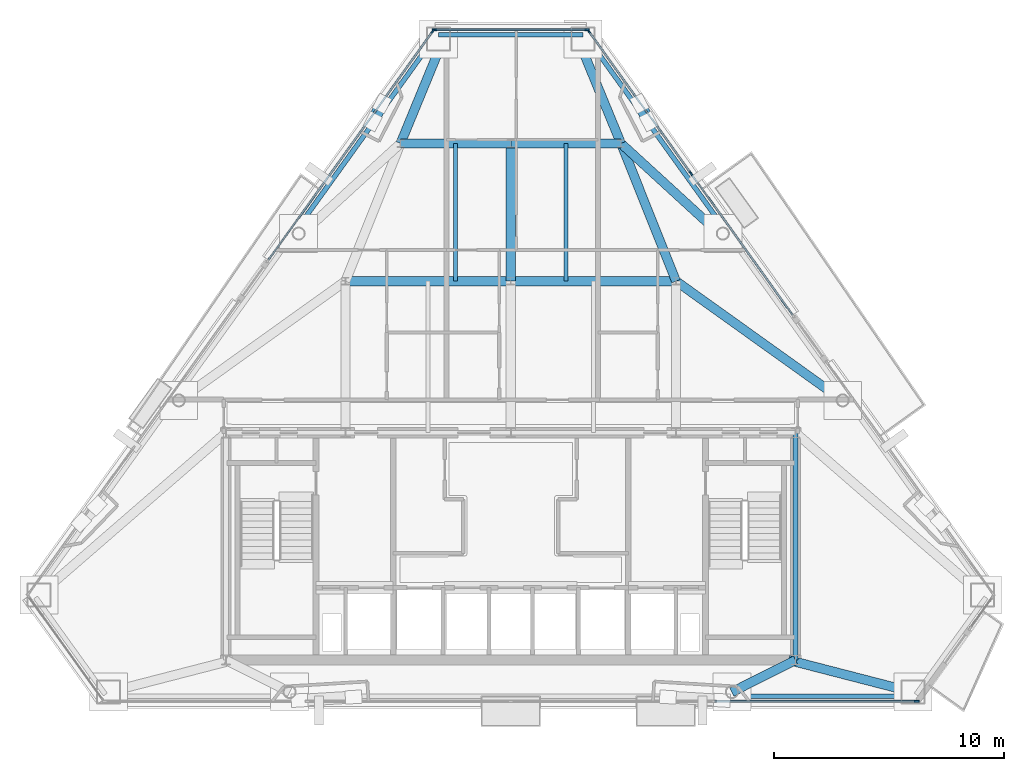
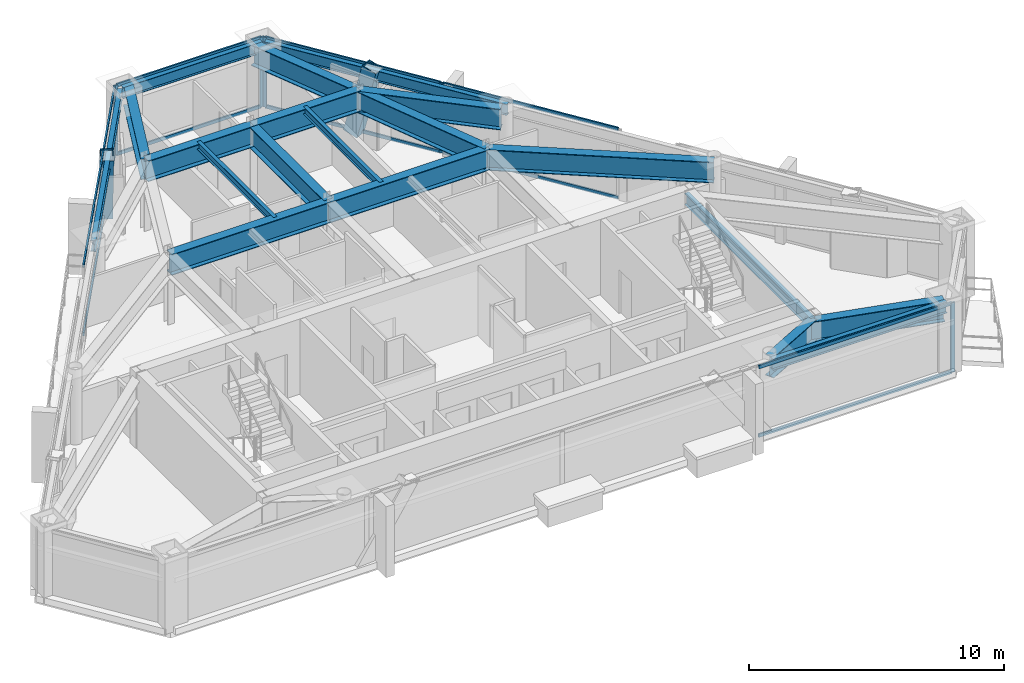
# One storey, part 4 of 11: 19 beams, 18 members, 4 elements without a shape of their own.
"""IFC4 building model written with IfcOpenShell, lengths in metres."""

import ifcopenshell
import ifcopenshell.guid

model = None  # the IFC model being written
_history = None  # IfcOwnerHistory: only IFC2X3 demands one
_inside = {}  # id of a spatial element -> (the spatial element, [elements in it])
_under = {}  # id of a project, library or spatial element -> (it, [spatial elements below it])
_declared = {}  # id of a project -> (the project, [libraries it declares])
_typed = {}  # id of a type object -> (the type object, [elements of that type])
_made_of = {}  # id of a material, layer set ... -> (it, [elements and type objects made of it])


def new_model(schema):
    """Start an empty IFC model of exactly this schema.

    Asked for "IFC4X3", IfcOpenShell would pick the latest addendum, in which some entities
    have other attributes; the version numbers below select the first issue.
    IFC2X3 requires an IfcOwnerHistory on every rooted entity: one is made here for all.
    """
    global model, _history
    if schema == "IFC4X3":
        model = ifcopenshell.file(schema_version=(4, 3, 0, 0))
    else:
        model = ifcopenshell.file(schema=schema)
    _inside.clear()
    _under.clear()
    _declared.clear()
    _typed.clear()
    _made_of.clear()
    _history = None
    if model.schema == "IFC2X3":
        org = make("IfcOrganization", Name="unknown")
        user = make(
            "IfcPersonAndOrganization",
            ThePerson=make("IfcPerson", FamilyName="unknown"),
            TheOrganization=org,
        )
        app = make(
            "IfcApplication",
            ApplicationDeveloper=org,
            Version="unknown",
            ApplicationFullName="unknown",
            ApplicationIdentifier="unknown",
        )
        _history = make(
            "IfcOwnerHistory",
            OwningUser=user,
            OwningApplication=app,
            ChangeAction="ADDED",
            CreationDate=0,
        )
    return model


def make(cls, **values):
    """One entity of the class cls with the attributes given. An attribute that is None is left unset."""
    return model.create_entity(
        cls, **{name: value for name, value in values.items() if value is not None}
    )


def rooted(cls, **values):
    """An entity with a GlobalId (a new one), such as an element, a storey or a relation."""
    return make(cls, GlobalId=ifcopenshell.guid.new(), OwnerHistory=_history, **values)


def si_unit(unit_type, name, prefix=None):
    """IfcSIUnit, for example si_unit("LENGTHUNIT", "METRE", prefix="MILLI")."""
    return make("IfcSIUnit", UnitType=unit_type, Prefix=prefix, Name=name)


def assignment(units):
    """IfcUnitAssignment: the units of a project."""
    return None if units is None else make("IfcUnitAssignment", Units=units)


def point(xyz):
    """IfcCartesianPoint."""
    return None if xyz is None else make("IfcCartesianPoint", Coordinates=xyz)


def direction(xyz):
    """IfcDirection."""
    return None if xyz is None else make("IfcDirection", DirectionRatios=xyz)


def frame(location, z_axis=None, x_axis=None):
    """IfcAxis2Placement3D, a coordinate frame: its origin and axes. An axis left out is left unset."""
    return make(
        "IfcAxis2Placement3D",
        Location=point(location),
        Axis=direction(z_axis),
        RefDirection=direction(x_axis),
    )


def frame_2d(location, x_axis=None):
    """IfcAxis2Placement2D, a coordinate frame in the plane: its origin and x axis."""
    return make(
        "IfcAxis2Placement2D", Location=point(location), RefDirection=direction(x_axis)
    )


def origin():
    """The frame at (0, 0, 0) with its axes left unset."""
    return frame((0.0, 0.0, 0.0))


def origin_2d():
    """The frame at (0, 0) in the plane with its x axis left unset."""
    return frame_2d((0.0, 0.0))


def place(relative_to, where):
    """IfcLocalPlacement: puts the frame where relative to a parent placement (None: the world)."""
    return make(
        "IfcLocalPlacement", PlacementRelTo=relative_to, RelativePlacement=where
    )


def context(
    kind, dimensions, precision=None, world=None, true_north=None, identifier=None
):
    """IfcGeometricRepresentationContext, for example the 3D "Model" context."""
    return make(
        "IfcGeometricRepresentationContext",
        ContextIdentifier=identifier,
        ContextType=kind,
        CoordinateSpaceDimension=dimensions,
        Precision=precision,
        WorldCoordinateSystem=world,
        TrueNorth=true_north,
    )


def subcontext(parent, identifier, kind, view, scale=None):
    """IfcGeometricRepresentationSubContext, for example "Body" below "Model"."""
    return make(
        "IfcGeometricRepresentationSubContext",
        ContextIdentifier=identifier,
        ContextType=kind,
        ParentContext=parent,
        TargetScale=scale,
        TargetView=view,
    )


def project(units=None, contexts=None):
    """IfcProject with its units and contexts."""
    return rooted(
        "IfcProject",
        Name="project",
        RepresentationContexts=contexts,
        UnitsInContext=assignment(units),
    )


def spatial(cls, under=None, at=None, **own):
    """A site, building, storey or space (cls), placed at a placement, below another one or the project."""
    s = rooted(cls, ObjectPlacement=at, **own)
    if under is not None:
        _under.setdefault(under.id(), (under, []))[1].append(s)
    return s


def profile(cls, at=None, kind="AREA", **sizes):
    """A parametric profile (cls). Its sizes go by their IFC names, for example OverallWidth=200.0."""
    return make(cls, ProfileType=kind, Position=at, **sizes)


def rectangle(**sizes):
    """IfcRectangleProfileDef."""
    return profile("IfcRectangleProfileDef", **sizes)


def hollow_rectangle(**sizes):
    """IfcRectangleHollowProfileDef."""
    return profile("IfcRectangleHollowProfileDef", **sizes)


def i_section(**sizes):
    """IfcIShapeProfileDef."""
    return profile("IfcIShapeProfileDef", **sizes)


def extrude(swept, where, along, depth):
    """IfcExtrudedAreaSolid: the profile swept, set in the frame where, extruded along a direction by depth."""
    return make(
        "IfcExtrudedAreaSolid",
        SweptArea=swept,
        Position=where,
        ExtrudedDirection=direction(along),
        Depth=depth,
    )


def shape(context_of_items, identifier, shape_type, items):
    """IfcShapeRepresentation: the items that make up one representation, for example the "Body"."""
    return make(
        "IfcShapeRepresentation",
        ContextOfItems=context_of_items,
        RepresentationIdentifier=identifier,
        RepresentationType=shape_type,
        Items=items,
    )


def material(Name=None, Category=None):
    """IfcMaterial."""
    return make("IfcMaterial", Name=Name, Category=Category)


def layer(
    of_material, thickness, ventilated=None, Name=None, Category=None, Priority=None
):
    """IfcMaterialLayer: one layer of a wall or slab, of a material (None: an air gap)."""
    return make(
        "IfcMaterialLayer",
        Material=of_material,
        LayerThickness=thickness,
        IsVentilated=ventilated,
        Name=Name,
        Category=Category,
        Priority=Priority,
    )


def layer_set(layers, Name=None):
    """IfcMaterialLayerSet."""
    return make("IfcMaterialLayerSet", MaterialLayers=layers, LayerSetName=Name)


def material_profile(
    of_material, cross_section, Name=None, Category=None, Priority=None
):
    """IfcMaterialProfile: a cross section and its material."""
    return make(
        "IfcMaterialProfile",
        Name=Name,
        Material=of_material,
        Profile=cross_section,
        Priority=Priority,
        Category=Category,
    )


def profile_set(profiles, Name=None, composite=None):
    """IfcMaterialProfileSet."""
    return make(
        "IfcMaterialProfileSet",
        Name=Name,
        MaterialProfiles=profiles,
        CompositeProfile=composite,
    )


def made_of(thing, what):
    """Note that an element or type object is made of a material, layer set ...; save() writes the relation."""
    if what is not None:
        _made_of.setdefault(what.id(), (what, []))[1].append(thing)
    return thing


def type_object(cls, material=None, **own):
    """A type object (cls), such as IfcWallType, which elements share."""
    return made_of(rooted(cls, **own), material)


def element(
    cls,
    number,
    at=None,
    inside=None,
    cuts=None,
    type_object=None,
    material=None,
    context=None,
    identifier="Body",
    shape_type=None,
    held_by="IfcProductDefinitionShape",
    body=None,
    shapes=None,
    **own,
):
    """One element of the class cls, such as IfcWall. Its Tag is "e" and its number.

    at: its placement. inside: the storey or other place that contains it. cuts: it is an
    opening in that element (IfcRelVoidsElement). A single representation is given by context,
    identifier, shape_type and body (its items); several are given by shapes. held_by: the class
    of the entity that holds the representations. save() writes the other relations.
    """
    e = rooted(cls, Tag="e%d" % number, ObjectPlacement=at, **own)
    if body is not None:
        shapes = [shape(context, identifier, shape_type, body)]
    if shapes is not None:
        e.Representation = make(held_by, Representations=shapes)
    if inside is not None:
        _inside.setdefault(inside.id(), (inside, []))[1].append(e)
    if cuts is not None:
        rooted(
            "IfcRelVoidsElement", RelatingBuildingElement=cuts, RelatedOpeningElement=e
        )
    if type_object is not None:
        _typed.setdefault(type_object.id(), (type_object, []))[1].append(e)
    return made_of(e, material)


def aggregate(whole, parts):
    """IfcRelAggregates: a whole, such as a stair, and the parts it consists of."""
    return rooted("IfcRelAggregates", RelatingObject=whole, RelatedObjects=parts)


def save(model, path):
    """Write the relations noted so far, then the file.

    IfcRelAggregates (storeys below a building ...), IfcRelContainedInSpatialStructure (elements
    in a storey), IfcRelDefinesByType, IfcRelAssociatesMaterial and IfcRelDeclares: one each for
    every whole, place, type object, material and project.
    """
    for whole, parts in _under.values():
        aggregate(whole, parts)
    for where, things in _inside.values():
        rooted(
            "IfcRelContainedInSpatialStructure",
            RelatedElements=things,
            RelatingStructure=where,
        )
    for kind, things in _typed.values():
        rooted("IfcRelDefinesByType", RelatedObjects=things, RelatingType=kind)
    for what, things in _made_of.values():
        rooted("IfcRelAssociatesMaterial", RelatedObjects=things, RelatingMaterial=what)
    for by, libraries in _declared.values():
        rooted("IfcRelDeclares", RelatingContext=by, RelatedDefinitions=libraries)
    model.write(path)


model = new_model("IFC4")

# Units and contexts
model_context = context("Model", 3, precision=1e-05, world=origin(), true_north=direction((0.0, 1.0)))
body_context = subcontext(model_context, "Body", "Model", "MODEL_VIEW")
ifc_project = project(units=[si_unit("LENGTHUNIT", "METRE"), si_unit("AREAUNIT", "SQUARE_METRE"), si_unit("VOLUMEUNIT", "CUBIC_METRE"), si_unit("PLANEANGLEUNIT", "RADIAN"), si_unit("MASSUNIT", "GRAM", prefix="KILO")], contexts=[model_context])

# Site, building, storey
site_placement = place(None, origin())
site = spatial("IfcSite", under=ifc_project, at=site_placement, CompositionType="ELEMENT")
building_placement = place(site_placement, origin())
building = spatial("IfcBuilding", under=site, at=building_placement, Name="Talgorran Terracotta Tower", CompositionType="ELEMENT")
storey_placement = place(building_placement, frame((0.0, 0.0, 214.5)))
storey = spatial("IfcBuildingStorey", under=building, at=storey_placement, Name="L56", CompositionType="ELEMENT", Elevation=214.5)

# Beams
ifc_material_1 = material(Name="Steel Grade 350 (350L0)", Category="steel")
ifc_material_profile_1 = material_profile(ifc_material_1, i_section(OverallWidth=0.39990234375, OverallDepth=1.0, WebThickness=0.01611328125, FlangeThickness=0.031005859375, at=origin_2d()), Name="1000WB296")
ifc_profile_set_1 = profile_set([ifc_material_profile_1], Name="Steel Grade 350 (350L0)")
beam_type_1 = type_object("IfcBeamType", Name="BM_1000WB296", PredefinedType="BEAM", material=ifc_profile_set_1)
beam_1_placement = place(storey_placement, frame((12.39990234375, -14.10009765625, 2.844970703125), z_axis=(-0.892878892076, -0.450296884383, 0.0), x_axis=(0.450296884383, -0.892878892076, 0.0)))
element("IfcBeam", 1, at=beam_1_placement, inside=storey, type_object=beam_type_1, Name="L56 South-East Core Tie Beam", PredefinedType="BEAM", context=body_context, shape_type="SweptSolid", body=[
    extrude(i_section(OverallWidth=0.39990234375, OverallDepth=1.0, WebThickness=0.01611328125, FlangeThickness=0.031005859375, at=origin_2d()), origin(), (0.0, 0.0, 1.0), 3.101318359375),
])
beam_2_placement = place(storey_placement, frame((17.5107421875, -15.49658203125, 2.844970703125), z_axis=(-0.968269139211, 0.249909731806, 0.0), x_axis=(-0.249909731806, -0.968269139211, 0.0)))
element("IfcBeam", 2, at=beam_2_placement, inside=storey, type_object=beam_type_1, Name="L56 Perimeter Step Girder 5", PredefinedType="BEAM", context=body_context, shape_type="SweptSolid", body=[
    extrude(i_section(OverallWidth=0.39990234375, OverallDepth=1.0, WebThickness=0.01611328125, FlangeThickness=0.031005859375, at=origin_2d()), origin(), (0.0, 0.0, 1.0), 5.587890625),
])
for number, where, z_axis, x_axis, name in (
    (3, (2.843017578125, 13.153076171875, 2.844970703125), (0.380723528032, -0.924688918071, 0.0), (0.924688918071, 0.380723528032, 0.0), "L56 Perimeter Step Girder 9B"),
    (4, (-2.843017578125, 13.153076171875, 2.844970703125), (-0.380723528032, -0.924688918071, 0.0), (0.924688918071, -0.380723528032, 0.0), "L56 Perimeter Step Girder 10B"),
):
    element("IfcBeam", number, at=place(storey_placement, frame(where, z_axis=z_axis, x_axis=x_axis)), inside=storey, type_object=beam_type_1, Name=name, PredefinedType="BEAM", context=body_context, shape_type="SweptSolid", body=[
        extrude(i_section(OverallWidth=0.39990234375, OverallDepth=1.0, WebThickness=0.01611328125, FlangeThickness=0.031005859375, at=origin_2d()), origin(), (0.0, 0.0, 1.0), 5.140380859375),
    ])
for number, where, z_axis, x_axis, name in (
    (5, (-7.199951171875, 2.39990234375, 2.844970703125), (1.0, 0.0, 0.0), (0.0, 1.0, 0.0), "L56 Floor Girder G04"),
    (6, (0.0, 2.39990234375, 2.844970703125), (1.0, 0.0, 0.0), (0.0, 1.0, 0.0), "L56 Floor Girder G05"),
):
    element("IfcBeam", number, at=place(storey_placement, frame(where, z_axis=z_axis, x_axis=x_axis)), inside=storey, type_object=beam_type_1, Name=name, PredefinedType="BEAM", context=body_context, shape_type="SweptSolid", body=[
        extrude(i_section(OverallWidth=0.39990234375, OverallDepth=1.0, WebThickness=0.01611328125, FlangeThickness=0.031005859375, at=origin_2d()), origin(), (0.0, 0.0, 1.0), 7.199951171875),
    ])
beam_3_placement = place(storey_placement, frame((7.199951171875, 2.39990234375, 2.844970703125), z_axis=(0.813243309998, -0.581923808366, 0.0), x_axis=(0.581923808366, 0.813243309998, 0.0)))
element("IfcBeam", 7, at=beam_3_placement, inside=storey, type_object=beam_type_1, Name="L56 Floor Girder G07", PredefinedType="BEAM", context=body_context, shape_type="SweptSolid", body=[
    extrude(i_section(OverallWidth=0.39990234375, OverallDepth=1.0, WebThickness=0.01611328125, FlangeThickness=0.031005859375, at=origin_2d()), origin(), (0.0, 0.0, 1.0), 8.923583984375),
])
beam_4_placement = place(storey_placement, frame((0.0, 2.39990234375, 2.844970703125), z_axis=(0.0, 1.0, 0.0), x_axis=(-1.0, 0.0, 0.0)))
element("IfcBeam", 8, at=beam_4_placement, inside=storey, type_object=beam_type_1, Name="L56 Floor Girder G09", PredefinedType="BEAM", context=body_context, shape_type="SweptSolid", body=[
    extrude(i_section(OverallWidth=0.39990234375, OverallDepth=1.0, WebThickness=0.01611328125, FlangeThickness=0.031005859375, at=origin_2d()), origin(), (0.0, 0.0, 1.0), 6.0),
])
beam_5_placement = place(storey_placement, frame((7.199951171875, 2.39990234375, 2.844970703125), z_axis=(-0.371377648723, 0.928481901832, 0.0), x_axis=(-0.928481901832, -0.371377648723, 0.0)))
element("IfcBeam", 9, at=beam_5_placement, inside=storey, type_object=beam_type_1, Name="L56 Floor Girder G10", PredefinedType="BEAM", context=body_context, shape_type="SweptSolid", body=[
    extrude(i_section(OverallWidth=0.39990234375, OverallDepth=1.0, WebThickness=0.01611328125, FlangeThickness=0.031005859375, at=origin_2d()), origin(), (0.0, 0.0, 1.0), 6.462158203125),
])
for number, where, z_axis, x_axis, name in (
    (10, (-4.800048828125, 8.39990234375, 2.844970703125), (1.0, 0.0, 0.0), (0.0, 1.0, 0.0), "L56 Floor Girder G11"),
    (11, (0.0, 8.39990234375, 2.844970703125), (1.0, 0.0, 0.0), (0.0, 1.0, 0.0), "L56 Floor Girder G12"),
):
    element("IfcBeam", number, at=place(storey_placement, frame(where, z_axis=z_axis, x_axis=x_axis)), inside=storey, type_object=beam_type_1, Name=name, PredefinedType="BEAM", context=body_context, shape_type="SweptSolid", body=[
        extrude(i_section(OverallWidth=0.39990234375, OverallDepth=1.0, WebThickness=0.01611328125, FlangeThickness=0.031005859375, at=origin_2d()), origin(), (0.0, 0.0, 1.0), 4.800048828125),
    ])
beam_6_placement = place(storey_placement, frame((4.800048828125, 8.39990234375, 2.844970703125), z_axis=(0.737419827565, -0.675434673313, 0.0), x_axis=(0.675434673313, 0.737419827565, 0.0)))
element("IfcBeam", 12, at=beam_6_placement, inside=storey, type_object=beam_type_1, Name="L56 Floor Girder G14", PredefinedType="BEAM", context=body_context, shape_type="SweptSolid", body=[
    extrude(i_section(OverallWidth=0.39990234375, OverallDepth=1.0, WebThickness=0.01611328125, FlangeThickness=0.031005859375, at=origin_2d()), origin(), (0.0, 0.0, 1.0), 5.75830078125),
])
ifc_material_2 = material(Name="Steel S355 (300PLUS)", Category="steel")
ifc_material_profile_2 = material_profile(ifc_material_2, i_section(OverallWidth=0.17138671875, OverallDepth=0.355712890625, WebThickness=0.00732421875, FlangeThickness=0.011474609375, at=origin_2d()), Name="360UB50.7")
ifc_profile_set_2 = profile_set([ifc_material_profile_2], Name="Steel S355 (300PLUS)")
beam_type_2 = type_object("IfcBeamType", Name="BM_JS_360UB51", PredefinedType="JOIST", material=ifc_profile_set_2)
for number, where, z_axis, x_axis, name in (
    (13, (-2.39990234375, 2.39990234375, 3.167236328125), (0.0, 1.0, 0.0), (-1.0, 0.0, 0.0), "L56 Secondary Joist J03"),
    (14, (2.39990234375, 2.39990234375, 3.167236328125), (0.0, 1.0, 0.0), (-1.0, 0.0, 0.0), "L56 Secondary Joist J04"),
):
    element("IfcBeam", number, at=place(storey_placement, frame(where, z_axis=z_axis, x_axis=x_axis)), inside=storey, type_object=beam_type_2, Name=name, PredefinedType="JOIST", context=body_context, shape_type="SweptSolid", body=[
        extrude(i_section(OverallWidth=0.17138671875, OverallDepth=0.355712890625, WebThickness=0.00732421875, FlangeThickness=0.011474609375, at=origin_2d()), origin(), (0.0, 0.0, 1.0), 6.0),
    ])
ifc_material_profile_3 = material_profile(ifc_material_2, i_section(OverallWidth=0.209228515625, OverallDepth=0.532958984375, WebThickness=0.01025390625, FlangeThickness=0.015625, at=origin_2d()), Name="530UB92.4")
ifc_profile_set_3 = profile_set([ifc_material_profile_3], Name="Steel S355 (300PLUS)")
beam_type_3 = type_object("IfcBeamType", Name="BM_SP_530UB92", PredefinedType="SPANDREL", material=ifc_profile_set_3)
beam_7_placement = place(storey_placement, frame((9.630859375, -15.6767578125, 3.07861328125), z_axis=(1.0, 0.0, 0.0), x_axis=(0.0, 1.0, 0.0)))
element("IfcBeam", 15, at=beam_7_placement, inside=storey, type_object=beam_type_3, Name="L56 Perimeter Spandrel Beam FC2-MC3", PredefinedType="SPANDREL", context=body_context, shape_type="SweptSolid", body=[
    extrude(i_section(OverallWidth=0.209228515625, OverallDepth=0.532958984375, WebThickness=0.01025390625, FlangeThickness=0.015625, at=origin_2d()), origin(), (0.0, 0.0, 1.0), 7.8798828125),
])
beam_8_placement = place(storey_placement, frame((9.382080078125, 4.577880859375, 3.07861328125), z_axis=(-0.583547851422, 0.812078755479, 0.0), x_axis=(-0.812078755479, -0.583547851422, 0.0)))
element("IfcBeam", 16, at=beam_8_placement, inside=storey, type_object=beam_type_3, Name="L56 Perimeter Spandrel Beam FC4-MC5", PredefinedType="SPANDREL", context=body_context, shape_type="SweptSolid", body=[
    extrude(i_section(OverallWidth=0.209228515625, OverallDepth=0.532958984375, WebThickness=0.01025390625, FlangeThickness=0.015625, at=origin_2d()), origin(), (0.0, 0.0, 1.0), 10.4384765625),
])
beam_9_placement = place(storey_placement, frame((3.14453125, 13.129638671875, 3.07861328125), z_axis=(-1.0, 0.0, 0.0), x_axis=(0.0, -1.0, 0.0)))
element("IfcBeam", 17, at=beam_9_placement, inside=storey, type_object=beam_type_3, Name="L56 Perimeter Spandrel Beam MC5-MC6", PredefinedType="SPANDREL", context=body_context, shape_type="SweptSolid", body=[
    extrude(i_section(OverallWidth=0.209228515625, OverallDepth=0.532958984375, WebThickness=0.01025390625, FlangeThickness=0.015625, at=origin_2d()), origin(), (0.0, 0.0, 1.0), 6.2890625),
])
beam_10_placement = place(storey_placement, frame((-3.290771484375, 13.0546875, 3.07861328125), z_axis=(-0.583547851422, -0.812078755479, 0.0), x_axis=(0.812078755479, -0.583547851422, 0.0)))
element("IfcBeam", 18, at=beam_10_placement, inside=storey, type_object=beam_type_3, Name="L56 Perimeter Spandrel Beam MC6-FC5", PredefinedType="SPANDREL", context=body_context, shape_type="SweptSolid", body=[
    extrude(i_section(OverallWidth=0.209228515625, OverallDepth=0.532958984375, WebThickness=0.01025390625, FlangeThickness=0.015625, at=origin_2d()), origin(), (0.0, 0.0, 1.0), 10.4384765625),
])
beam_11_placement = place(storey_placement, frame((12.39990234375, -14.10009765625, 3.07861328125), z_axis=(0.0, 1.0, 0.0), x_axis=(-1.0, 0.0, 0.0)))
element("IfcBeam", 19, at=beam_11_placement, inside=storey, type_object=beam_type_3, Name="L56 Core Frame Beam CFE", PredefinedType="SPANDREL", context=body_context, shape_type="SweptSolid", body=[
    extrude(i_section(OverallWidth=0.209228515625, OverallDepth=0.532958984375, WebThickness=0.01025390625, FlangeThickness=0.015625, at=origin_2d()), origin(), (0.0, 0.0, 1.0), 9.900146484375),
])

# Members
ifc_material_profile_4 = material_profile(ifc_material_1, hollow_rectangle(XDim=0.52001953125, YDim=0.659912109375, WallThickness=0.034912109375, at=origin_2d()), Name="WBOX660X520X35")
ifc_profile_set_4 = profile_set([ifc_material_profile_4], Name="Steel Grade 350 (350L0)")
member_type_1 = type_object("IfcMemberType", Name="MB_MEGA_660", PredefinedType="BRACE", material=ifc_profile_set_4)
for number, where, z_axis, x_axis, name in (
    (20, (5.607666015625, 10.138916015625, -0.02490234375), (0.115459472178, -0.223680978649, 0.9677995299), (0.888602481916, 0.458678132389, 0.0), "L56 Exterior Face Mega-Brace MB-3 (NEU)"),
    (21, (-5.607666015625, 10.138916015625, -0.02490234375), (-0.115459472178, -0.223680978649, 0.9677995299), (0.888602481916, -0.458678132389, 0.0), "L56 Exterior Face Mega-Brace MB-3 (NWU)"),
):
    element("IfcMember", number, at=place(storey_placement, frame(where, z_axis=z_axis, x_axis=x_axis)), inside=storey, type_object=member_type_1, Name=name, PredefinedType="BRACE", context=body_context, shape_type="SweptSolid", body=[
        extrude(hollow_rectangle(XDim=0.52001953125, YDim=0.659912109375, WallThickness=0.034912109375, at=origin_2d()), origin(), (0.0, 0.0, 1.0), 3.508056640625),
    ])

# Curtain wall, member
ifc_material_3 = material(Name="High-Wind Unitised Glazing", Category="glass")
ifc_layer = layer(ifc_material_3, 0.2099609375, Name="CW_SYS3_RES_HIGH")
ifc_layer_set = layer_set([ifc_layer], Name="High-Wind Unitised Glazing")
curtain_wall_type = type_object("IfcCurtainWallType", Name="CW_SYS3_RES_HIGH", PredefinedType="NOTDEFINED", material=ifc_layer_set)
curtain_wall_1_placement = place(storey_placement, origin())
curtain_wall_1 = element("IfcCurtainWall", 22, at=curtain_wall_1_placement, inside=storey, type_object=curtain_wall_type, Name="CW-L56-F1", PredefinedType="NOTDEFINED")
ifc_material_4 = material(Name="Architectural Aluminium 6063-T6", Category="aluminium")
ifc_material_profile_5 = material_profile(ifc_material_4, rectangle(XDim=0.070068359375, YDim=0.199951171875, at=origin_2d()), Name="CWM70X200")
ifc_profile_set_5 = profile_set([ifc_material_profile_5], Name="Architectural Aluminium 6063-T6")
member_type_2 = type_object("IfcMemberType", Name="MUL_70X200", PredefinedType="MULLION", material=ifc_profile_set_5)
member_1_placement = place(storey_placement, frame((17.680908203125, -15.896728515625, 0.0), z_axis=(0.0, 0.0, 1.0), x_axis=(0.0, 1.0, 0.0)))
member_1 = element("IfcMember", 23, at=member_1_placement, type_object=member_type_2, Name="CW-L56-1 mullion 5", PredefinedType="MULLION", context=body_context, shape_type="SweptSolid", body=[
    extrude(rectangle(XDim=0.070068359375, YDim=0.199951171875, at=origin_2d()), origin(), (0.0, 0.0, 1.0), 3.344970703125),
])

# Curtain wall, members
curtain_wall_2_placement = place(storey_placement, origin())
curtain_wall_2 = element("IfcCurtainWall", 24, at=curtain_wall_2_placement, inside=storey, type_object=curtain_wall_type, Name="CW-L56-F41", PredefinedType="NOTDEFINED")
member_2_placement = place(storey_placement, frame((7.845458984375, 7.093505859375, 0.0), z_axis=(0.0, 0.0, 1.0), x_axis=(-0.812077108608, -0.583550143239, 0.0)))
member_2 = element("IfcMember", 25, at=member_2_placement, type_object=member_type_2, Name="CW-L56-41 mullion 2", PredefinedType="MULLION", context=body_context, shape_type="SweptSolid", body=[
    extrude(rectangle(XDim=0.070068359375, YDim=0.199951171875, at=origin_2d()), origin(), (0.0, 0.0, 1.0), 3.344970703125),
])
member_3_placement = place(storey_placement, frame((3.3935546875, 13.28857421875, 0.0), z_axis=(0.0, 0.0, 1.0), x_axis=(-0.812077108608, -0.583550143239, 0.0)))
member_3 = element("IfcMember", 26, at=member_3_placement, type_object=member_type_2, Name="CW-L56-41 mullion 3", PredefinedType="MULLION", context=body_context, shape_type="SweptSolid", body=[
    extrude(rectangle(XDim=0.070068359375, YDim=0.199951171875, at=origin_2d()), origin(), (0.0, 0.0, 1.0), 3.344970703125),
])

curtain_wall_3_placement = place(storey_placement, origin())
curtain_wall_3 = element("IfcCurtainWall", 27, at=curtain_wall_3_placement, inside=storey, type_object=curtain_wall_type, Name="CW-L56-F4", PredefinedType="NOTDEFINED")
member_4_placement = place(storey_placement, frame((3.314697265625, 13.349609375, 0.0), z_axis=(0.0, 0.0, 1.0), x_axis=(0.0, -1.0, 0.0)))
member_4 = element("IfcMember", 28, at=member_4_placement, type_object=member_type_2, Name="CW-L56-4 mullion 1", PredefinedType="MULLION", context=body_context, shape_type="SweptSolid", body=[
    extrude(rectangle(XDim=0.070068359375, YDim=0.199951171875, at=origin_2d()), origin(), (0.0, 0.0, 1.0), 3.344970703125),
])
member_5_placement = place(storey_placement, frame((-3.314697265625, 13.349609375, 0.0), z_axis=(0.0, 0.0, 1.0), x_axis=(0.0, -1.0, 0.0)))
member_5 = element("IfcMember", 29, at=member_5_placement, type_object=member_type_2, Name="CW-L56-4 mullion 2", PredefinedType="MULLION", context=body_context, shape_type="SweptSolid", body=[
    extrude(rectangle(XDim=0.070068359375, YDim=0.199951171875, at=origin_2d()), origin(), (0.0, 0.0, 1.0), 3.344970703125),
])

# Curtain wall, member
curtain_wall_4_placement = place(storey_placement, origin())
curtain_wall_4 = element("IfcCurtainWall", 30, at=curtain_wall_4_placement, inside=storey, type_object=curtain_wall_type, Name="CW-L56-F60", PredefinedType="NOTDEFINED")
member_6_placement = place(storey_placement, frame((-3.3935546875, 13.28857421875, 0.0), z_axis=(0.0, 0.0, 1.0), x_axis=(0.812072089911, -0.583557127269, 0.0)))
member_6 = element("IfcMember", 31, at=member_6_placement, type_object=member_type_2, Name="CW-L56-60 mullion 1", PredefinedType="MULLION", context=body_context, shape_type="SweptSolid", body=[
    extrude(rectangle(XDim=0.070068359375, YDim=0.199951171875, at=origin_2d()), origin(), (0.0, 0.0, 1.0), 3.344970703125),
])

# Member
ifc_material_profile_6 = material_profile(ifc_material_4, rectangle(XDim=0.070068359375, YDim=0.159912109375, at=origin_2d()), Name="CWT70X160")
ifc_profile_set_6 = profile_set([ifc_material_profile_6], Name="Architectural Aluminium 6063-T6")
member_type_3 = type_object("IfcMemberType", Name="TRN_70X160", PredefinedType="USERDEFINED", material=ifc_profile_set_6)
member_7_placement = place(storey_placement, frame((8.89306640625, -15.896728515625, 0.034912109375), z_axis=(1.0, 0.0, 0.0), x_axis=(0.0, 1.0, 0.0)))
member_7 = element("IfcMember", 32, at=member_7_placement, type_object=member_type_3, Name="CW-L56-1 transom 4.1", ObjectType="TRANSOM", PredefinedType="USERDEFINED", context=body_context, shape_type="SweptSolid", body=[
    extrude(rectangle(XDim=0.070068359375, YDim=0.159912109375, at=origin_2d()), origin(), (0.0, 0.0, 1.0), 8.7529296875),
])

member_8_placement = place(storey_placement, frame((8.89306640625, -15.896728515625, 3.31005859375), z_axis=(1.0, 0.0, 0.0), x_axis=(0.0, 1.0, 0.0)))
member_8 = element("IfcMember", 33, at=member_8_placement, type_object=member_type_3, Name="CW-L56-1 transom 4.2", ObjectType="TRANSOM", PredefinedType="USERDEFINED", context=body_context, shape_type="SweptSolid", body=[
    extrude(rectangle(XDim=0.070068359375, YDim=0.159912109375, at=origin_2d()), origin(), (0.0, 0.0, 1.0), 8.7529296875),
])

aggregate(curtain_wall_1, [member_1, member_7, member_8])

member_9_placement = place(storey_placement, frame((12.27685546875, 0.9267578125, 0.034912109375), z_axis=(-0.583576149094, 0.812058420441, 0.0), x_axis=(-0.812058420441, -0.583576149094, 0.0)))
member_9 = element("IfcMember", 34, at=member_9_placement, type_object=member_type_3, Name="CW-L56-41 transom 1.1", ObjectType="TRANSOM", PredefinedType="USERDEFINED", context=body_context, shape_type="SweptSolid", body=[
    extrude(rectangle(XDim=0.070068359375, YDim=0.159912109375, at=origin_2d()), origin(), (0.0, 0.0, 1.0), 7.558837890625),
])

member_10_placement = place(storey_placement, frame((12.27685546875, 0.9267578125, 3.31005859375), z_axis=(-0.583576149094, 0.812058420441, 0.0), x_axis=(-0.812058420441, -0.583576149094, 0.0)))
member_10 = element("IfcMember", 35, at=member_10_placement, type_object=member_type_3, Name="CW-L56-41 transom 1.2", ObjectType="TRANSOM", PredefinedType="USERDEFINED", context=body_context, shape_type="SweptSolid", body=[
    extrude(rectangle(XDim=0.070068359375, YDim=0.159912109375, at=origin_2d()), origin(), (0.0, 0.0, 1.0), 7.558837890625),
])

member_11_placement = place(storey_placement, frame((7.824951171875, 7.121826171875, 0.034912109375), z_axis=(-0.583539543263, 0.812084725536, 0.0), x_axis=(-0.812084725536, -0.583539543263, 0.0)))
member_11 = element("IfcMember", 36, at=member_11_placement, type_object=member_type_3, Name="CW-L56-41 transom 2.1", ObjectType="TRANSOM", PredefinedType="USERDEFINED", context=body_context, shape_type="SweptSolid", body=[
    extrude(rectangle(XDim=0.070068359375, YDim=0.159912109375, at=origin_2d()), origin(), (0.0, 0.0, 1.0), 7.558837890625),
])

member_12_placement = place(storey_placement, frame((7.824951171875, 7.121826171875, 3.31005859375), z_axis=(-0.583539543263, 0.812084725536, 0.0), x_axis=(-0.812084725536, -0.583539543263, 0.0)))
member_12 = element("IfcMember", 37, at=member_12_placement, type_object=member_type_3, Name="CW-L56-41 transom 2.2", ObjectType="TRANSOM", PredefinedType="USERDEFINED", context=body_context, shape_type="SweptSolid", body=[
    extrude(rectangle(XDim=0.070068359375, YDim=0.159912109375, at=origin_2d()), origin(), (0.0, 0.0, 1.0), 7.558837890625),
])

aggregate(curtain_wall_2, [member_2, member_3, member_9, member_10, member_11, member_12])

member_13_placement = place(storey_placement, frame((3.27978515625, 13.349609375, 0.034912109375), z_axis=(-1.0, 0.0, 0.0), x_axis=(0.0, -1.0, 0.0)))
member_13 = element("IfcMember", 38, at=member_13_placement, type_object=member_type_3, Name="CW-L56-4 transom 1.1", ObjectType="TRANSOM", PredefinedType="USERDEFINED", context=body_context, shape_type="SweptSolid", body=[
    extrude(rectangle(XDim=0.070068359375, YDim=0.159912109375, at=origin_2d()), origin(), (0.0, 0.0, 1.0), 6.5595703125),
])

member_14_placement = place(storey_placement, frame((3.27978515625, 13.349609375, 3.31005859375), z_axis=(-1.0, 0.0, 0.0), x_axis=(0.0, -1.0, 0.0)))
member_14 = element("IfcMember", 39, at=member_14_placement, type_object=member_type_3, Name="CW-L56-4 transom 1.2", ObjectType="TRANSOM", PredefinedType="USERDEFINED", context=body_context, shape_type="SweptSolid", body=[
    extrude(rectangle(XDim=0.070068359375, YDim=0.159912109375, at=origin_2d()), origin(), (0.0, 0.0, 1.0), 6.5595703125),
])

aggregate(curtain_wall_3, [member_4, member_5, member_13, member_14])

member_15_placement = place(storey_placement, frame((-3.4140625, 13.26025390625, 0.034912109375), z_axis=(-0.583555463767, -0.812073285306, 0.0), x_axis=(0.812073285306, -0.583555463767, 0.0)))
member_15 = element("IfcMember", 40, at=member_15_placement, type_object=member_type_3, Name="CW-L56-60 transom 1.1", ObjectType="TRANSOM", PredefinedType="USERDEFINED", context=body_context, shape_type="SweptSolid", body=[
    extrude(rectangle(XDim=0.070068359375, YDim=0.159912109375, at=origin_2d()), origin(), (0.0, 0.0, 1.0), 12.236083984375),
])

member_16_placement = place(storey_placement, frame((-3.4140625, 13.26025390625, 3.31005859375), z_axis=(-0.583555463767, -0.812073285306, 0.0), x_axis=(0.812073285306, -0.583555463767, 0.0)))
member_16 = element("IfcMember", 41, at=member_16_placement, type_object=member_type_3, Name="CW-L56-60 transom 1.2", ObjectType="TRANSOM", PredefinedType="USERDEFINED", context=body_context, shape_type="SweptSolid", body=[
    extrude(rectangle(XDim=0.070068359375, YDim=0.159912109375, at=origin_2d()), origin(), (0.0, 0.0, 1.0), 12.236083984375),
])

aggregate(curtain_wall_4, [member_6, member_15, member_16])

save(model, "model.ifc")
